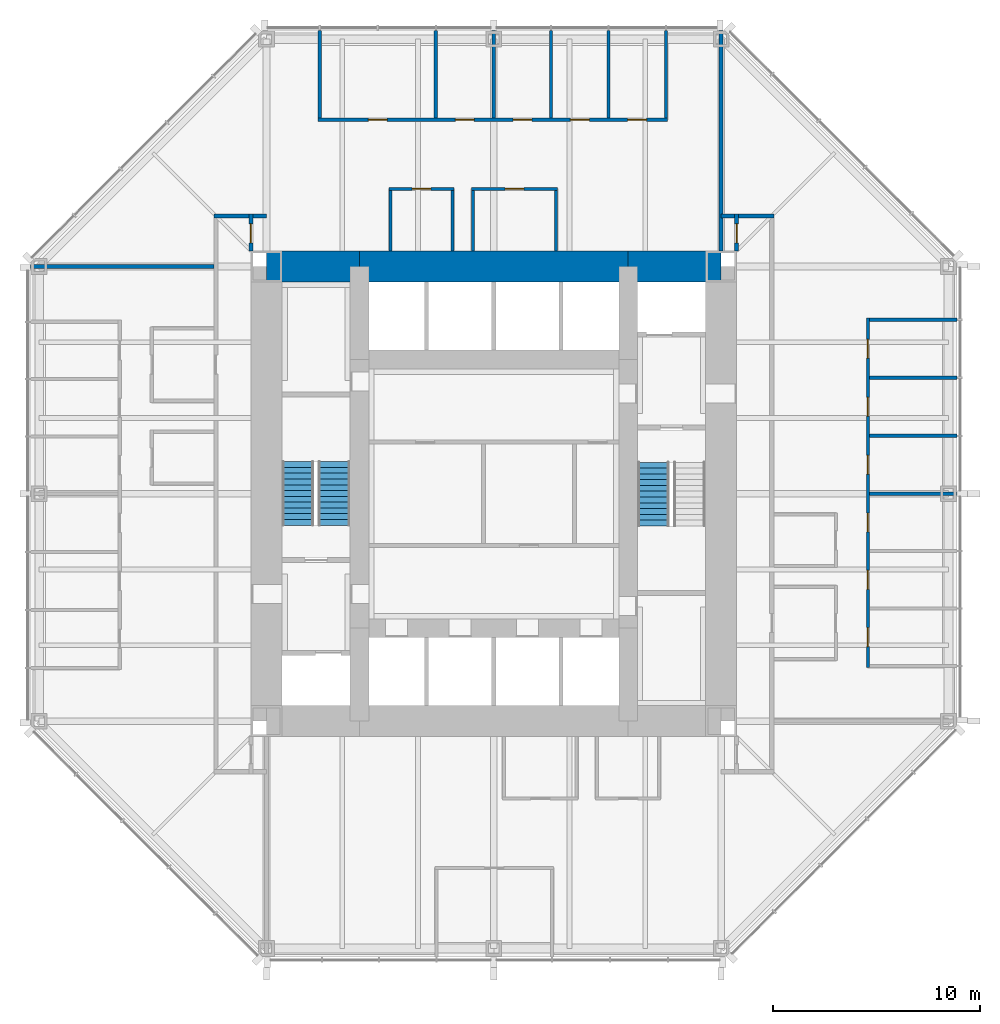
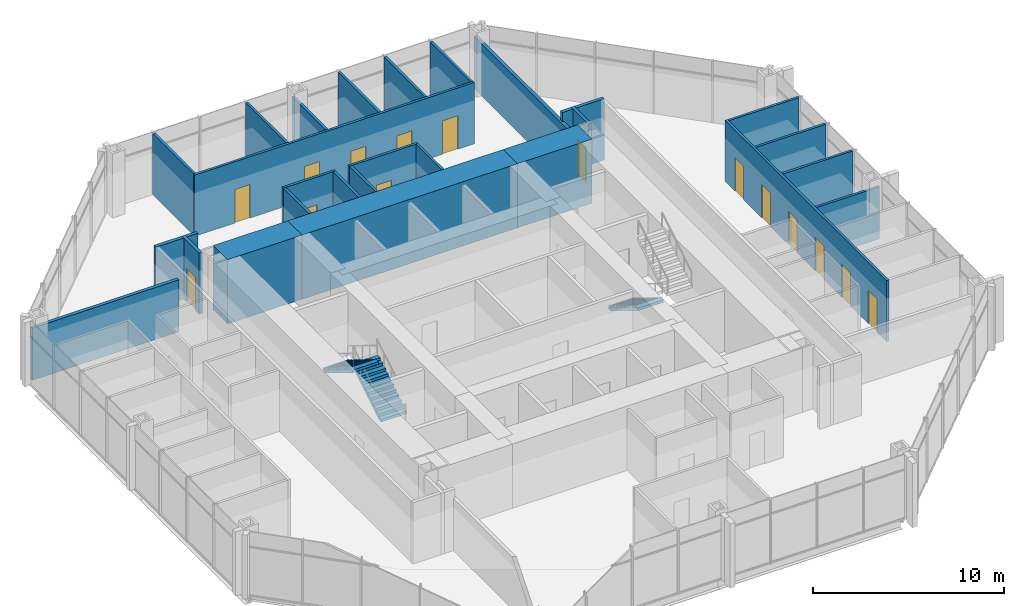
# One storey, part 11 of 14: 27 walls, 15 doors, 3 stair flights, 15 openings, 2 elements without a shape of their own.
"""IFC4 building model written with IfcOpenShell, lengths in metres."""

from ifc_helpers import new_model, si_unit, direction, frame, frame_2d, origin, place, context, subcontext, project, spatial, polyline, rectangle, outline, extrude, material, layer, layer_set, type_object, element, fill, aggregate, save


model = new_model("IFC4")

# Units and contexts
model_context = context("Model", 3, precision=1e-05, world=origin(), true_north=direction((0.0, 1.0)))
body_context = subcontext(model_context, "Body", "Model", "MODEL_VIEW")
ifc_project = project(units=[si_unit("LENGTHUNIT", "METRE"), si_unit("AREAUNIT", "SQUARE_METRE"), si_unit("VOLUMEUNIT", "CUBIC_METRE"), si_unit("PLANEANGLEUNIT", "RADIAN"), si_unit("MASSUNIT", "GRAM", prefix="KILO")], contexts=[model_context])

# Site, building, storey
site_placement = place(None, origin())
site = spatial("IfcSite", under=ifc_project, at=site_placement, CompositionType="ELEMENT")
building_placement = place(site_placement, origin())
building = spatial("IfcBuilding", under=site, at=building_placement, Name="Trevanion Tower", CompositionType="ELEMENT")
storey_placement = place(building_placement, frame((0.0, 0.0, 109.0)))
storey = spatial("IfcBuildingStorey", under=building, at=storey_placement, Name="L25", CompositionType="ELEMENT", Elevation=109.0)

# Walls
ifc_material_1 = material(Name="Concrete 10,000 psi", Category="concrete")
ifc_layer_1 = layer(ifc_material_1, 1.5)
ifc_layer_set_1 = layer_set([ifc_layer_1], Name="CW1 core wall 1500")
wall_type_1 = type_object("IfcWallType", Name="CW1 core wall 1500", PredefinedType="SHEAR", material=ifc_layer_set_1)
wall_1_placement = place(storey_placement, frame((11.0, 11.0, 0.0), z_axis=(0.0, 0.0, 1.0), x_axis=(-1.0, 0.0, 0.0)))
element("IfcWall", 1, at=wall_1_placement, inside=storey, type_object=wall_type_1, Name="CW1 CN1 L25", PredefinedType="SHEAR", context=body_context, shape_type="SweptSolid", body=[
    extrude(rectangle(XDim=4.5, YDim=1.5, at=frame_2d((2.25, 0.0))), origin(), (0.0, 0.0, 1.0), 4.10009765625),
])
wall_2_placement = place(storey_placement, frame((6.5, 11.0, 0.0), z_axis=(0.0, 0.0, 1.0), x_axis=(-1.0, 0.0, 0.0)))
element("IfcWall", 2, at=wall_2_placement, inside=storey, type_object=wall_type_1, Name="CW1 CN2 L25", PredefinedType="SHEAR", context=body_context, shape_type="SweptSolid", body=[
    extrude(rectangle(XDim=13.0, YDim=1.5, at=frame_2d((6.5, 0.0))), origin(), (0.0, 0.0, 1.0), 4.10009765625),
])
wall_3_placement = place(storey_placement, frame((-6.5, 11.0, 0.0), z_axis=(0.0, 0.0, 1.0), x_axis=(-1.0, 0.0, 0.0)))
element("IfcWall", 3, at=wall_3_placement, inside=storey, type_object=wall_type_1, Name="CW1 CN3 L25", PredefinedType="SHEAR", context=body_context, shape_type="SweptSolid", body=[
    extrude(rectangle(XDim=4.5, YDim=1.5, at=frame_2d((2.25, 0.0))), origin(), (0.0, 0.0, 1.0), 4.10009765625),
])

# Wall, openings, doors
ifc_material_2 = material(Name="Gypsum board on steel studs", Category="steel")
ifc_layer_2 = layer(ifc_material_2, 0.14990234375)
ifc_layer_set_2 = layer_set([ifc_layer_2], Name="PT1 partition 150")
wall_type_2 = type_object("IfcWallType", Name="PT1 partition 150", PredefinedType="PARTITIONING", material=ifc_layer_set_2)
wall_4_placement = place(storey_placement, frame((18.10009765625, -8.39794921875, 0.0), z_axis=(0.0, 0.0, 1.0), x_axis=(0.0, 1.0, 0.0)))
wall_4 = element("IfcWall", 4, at=wall_4_placement, inside=storey, type_object=wall_type_2, Name="PT1 L25 FC0F", PredefinedType="PARTITIONING", context=body_context, shape_type="SweptSolid", body=[
    extrude(rectangle(XDim=16.89404296875, YDim=0.14990234375, at=frame_2d((8.447021484375, 0.0))), origin(), (0.0, 0.0, 1.0), 3.909912109375),
])
opening_1_placement = place(wall_4_placement, frame((1.00439453125, 0.0, 0.0)))
opening_1 = element("IfcOpeningElement", 5, at=opening_1_placement, cuts=wall_4, Name="Opening 25-022", PredefinedType="OPENING", context=body_context, shape_type="SweptSolid", body=[
    extrude(rectangle(XDim=0.9150390625, YDim=2.134033203125, at=frame_2d((0.45751953125, 1.06689453125))), frame((0.0, 0.0849609375, 0.0), z_axis=(0.0, -1.0, 0.0), x_axis=(1.0, 0.0, 0.0)), (0.0, 0.0, 1.0), 0.169921875),
])
opening_2_placement = place(wall_4_placement, frame((3.778564453125, 0.0, 0.0)))
opening_2 = element("IfcOpeningElement", 6, at=opening_2_placement, cuts=wall_4, Name="Opening 25-023", PredefinedType="OPENING", context=body_context, shape_type="SweptSolid", body=[
    extrude(rectangle(XDim=0.9150390625, YDim=2.134033203125, at=frame_2d((0.45751953125, 1.06689453125))), frame((0.0, 0.0849609375, 0.0), z_axis=(0.0, -1.0, 0.0), x_axis=(1.0, 0.0, 0.0)), (0.0, 0.0, 1.0), 0.169921875),
])
opening_3_placement = place(wall_4_placement, frame((6.552978515625, 0.0, 0.0)))
opening_3 = element("IfcOpeningElement", 7, at=opening_3_placement, cuts=wall_4, Name="Opening 25-024", PredefinedType="OPENING", context=body_context, shape_type="SweptSolid", body=[
    extrude(rectangle(XDim=0.9150390625, YDim=2.134033203125, at=frame_2d((0.45751953125, 1.06689453125))), frame((0.0, 0.0849609375, 0.0), z_axis=(0.0, -1.0, 0.0), x_axis=(1.0, 0.0, 0.0)), (0.0, 0.0, 1.0), 0.169921875),
])
opening_4_placement = place(wall_4_placement, frame((9.343994140625, 0.0, 0.0)))
opening_4 = element("IfcOpeningElement", 8, at=opening_4_placement, cuts=wall_4, Name="Opening 25-025", PredefinedType="OPENING", context=body_context, shape_type="SweptSolid", body=[
    extrude(rectangle(XDim=0.9150390625, YDim=2.134033203125, at=frame_2d((0.45751953125, 1.06689453125))), frame((0.0, 0.0849609375, 0.0), z_axis=(0.0, -1.0, 0.0), x_axis=(1.0, 0.0, 0.0)), (0.0, 0.0, 1.0), 0.169921875),
])
opening_5_placement = place(wall_4_placement, frame((12.15087890625, 0.0, 0.0)))
opening_5 = element("IfcOpeningElement", 9, at=opening_5_placement, cuts=wall_4, Name="Opening 25-026", PredefinedType="OPENING", context=body_context, shape_type="SweptSolid", body=[
    extrude(rectangle(XDim=0.9150390625, YDim=2.134033203125, at=frame_2d((0.45751953125, 1.06689453125))), frame((0.0, 0.0849609375, 0.0), z_axis=(0.0, -1.0, 0.0), x_axis=(1.0, 0.0, 0.0)), (0.0, 0.0, 1.0), 0.169921875),
])
opening_6_placement = place(wall_4_placement, frame((14.9580078125, 0.0, 0.0)))
opening_6 = element("IfcOpeningElement", 10, at=opening_6_placement, cuts=wall_4, Name="Opening 25-027", PredefinedType="OPENING", context=body_context, shape_type="SweptSolid", body=[
    extrude(rectangle(XDim=0.9150390625, YDim=2.134033203125, at=frame_2d((0.45751953125, 1.06689453125))), frame((0.0, 0.0849609375, 0.0), z_axis=(0.0, -1.0, 0.0), x_axis=(1.0, 0.0, 0.0)), (0.0, 0.0, 1.0), 0.169921875),
])
ifc_material_3 = material(Name="Timber veneer, solid core", Category="wood")
door_type_1 = type_object("IfcDoorType", Name="D1 office and meeting room door", OperationType="SINGLE_SWING_LEFT", PredefinedType="DOOR", material=ifc_material_3)
door_1_placement = place(opening_1_placement, origin())
door_1 = element("IfcDoor", 11, at=door_1_placement, inside=storey, type_object=door_type_1, Name="Door 25-022", OperationType="SINGLE_SWING_LEFT", OverallHeight=2.134033203125, OverallWidth=0.9150390625, PredefinedType="DOOR", context=body_context, shape_type="SweptSolid", body=[
    extrude(rectangle(XDim=0.9150390625, YDim=2.134033203125, at=frame_2d((0.45751953125, 1.06689453125))), frame((0.0, 0.02490234375, 0.0), z_axis=(0.0, -1.0, 0.0), x_axis=(1.0, 0.0, 0.0)), (0.0, 0.0, 1.0), 0.050048828125),
])
fill(opening_1, door_1)
door_2_placement = place(opening_2_placement, origin())
door_2 = element("IfcDoor", 12, at=door_2_placement, inside=storey, type_object=door_type_1, Name="Door 25-023", OperationType="SINGLE_SWING_LEFT", OverallHeight=2.134033203125, OverallWidth=0.9150390625, PredefinedType="DOOR", context=body_context, shape_type="SweptSolid", body=[
    extrude(rectangle(XDim=0.9150390625, YDim=2.134033203125, at=frame_2d((0.45751953125, 1.06689453125))), frame((0.0, 0.02490234375, 0.0), z_axis=(0.0, -1.0, 0.0), x_axis=(1.0, 0.0, 0.0)), (0.0, 0.0, 1.0), 0.050048828125),
])
fill(opening_2, door_2)
door_3_placement = place(opening_3_placement, origin())
door_3 = element("IfcDoor", 13, at=door_3_placement, inside=storey, type_object=door_type_1, Name="Door 25-024", OperationType="SINGLE_SWING_LEFT", OverallHeight=2.134033203125, OverallWidth=0.9150390625, PredefinedType="DOOR", context=body_context, shape_type="SweptSolid", body=[
    extrude(rectangle(XDim=0.9150390625, YDim=2.134033203125, at=frame_2d((0.45751953125, 1.06689453125))), frame((0.0, 0.02490234375, 0.0), z_axis=(0.0, -1.0, 0.0), x_axis=(1.0, 0.0, 0.0)), (0.0, 0.0, 1.0), 0.050048828125),
])
fill(opening_3, door_3)
door_4_placement = place(opening_4_placement, origin())
door_4 = element("IfcDoor", 14, at=door_4_placement, inside=storey, type_object=door_type_1, Name="Door 25-025", OperationType="SINGLE_SWING_LEFT", OverallHeight=2.134033203125, OverallWidth=0.9150390625, PredefinedType="DOOR", context=body_context, shape_type="SweptSolid", body=[
    extrude(rectangle(XDim=0.9150390625, YDim=2.134033203125, at=frame_2d((0.45751953125, 1.06689453125))), frame((0.0, 0.02490234375, 0.0), z_axis=(0.0, -1.0, 0.0), x_axis=(1.0, 0.0, 0.0)), (0.0, 0.0, 1.0), 0.050048828125),
])
fill(opening_4, door_4)
door_5_placement = place(opening_5_placement, origin())
door_5 = element("IfcDoor", 15, at=door_5_placement, inside=storey, type_object=door_type_1, Name="Door 25-026", OperationType="SINGLE_SWING_LEFT", OverallHeight=2.134033203125, OverallWidth=0.9150390625, PredefinedType="DOOR", context=body_context, shape_type="SweptSolid", body=[
    extrude(rectangle(XDim=0.9150390625, YDim=2.134033203125, at=frame_2d((0.45751953125, 1.06689453125))), frame((0.0, 0.02490234375, 0.0), z_axis=(0.0, -1.0, 0.0), x_axis=(1.0, 0.0, 0.0)), (0.0, 0.0, 1.0), 0.050048828125),
])
fill(opening_5, door_5)
door_6_placement = place(opening_6_placement, origin())
door_6 = element("IfcDoor", 16, at=door_6_placement, inside=storey, type_object=door_type_1, Name="Door 25-027", OperationType="SINGLE_SWING_LEFT", OverallHeight=2.134033203125, OverallWidth=0.9150390625, PredefinedType="DOOR", context=body_context, shape_type="SweptSolid", body=[
    extrude(rectangle(XDim=0.9150390625, YDim=2.134033203125, at=frame_2d((0.45751953125, 1.06689453125))), frame((0.0, 0.02490234375, 0.0), z_axis=(0.0, -1.0, 0.0), x_axis=(1.0, 0.0, 0.0)), (0.0, 0.0, 1.0), 0.050048828125),
])
fill(opening_6, door_6)

# Walls
wall_5_placement = place(storey_placement, frame((18.175048828125, 0.0, 0.0), z_axis=(0.0, 0.0, 1.0), x_axis=(1.0, 0.0, 0.0)))
element("IfcWall", 17, at=wall_5_placement, inside=storey, type_object=wall_type_2, Name="PT1 L25 FC0S3", PredefinedType="PARTITIONING", context=body_context, shape_type="SweptSolid", body=[
    extrude(rectangle(XDim=4.239990234375, YDim=0.14990234375, at=frame_2d((2.1201171875, 0.0))), origin(), (0.0, 0.0, 1.0), 3.32568359375),
])
for number, where, z_axis, x_axis, name in (
    (18, (18.175048828125, 2.806884765625, 0.0), (0.0, 0.0, 1.0), (1.0, 0.0, 0.0), "PT1 L25 FC0S4"),
    (19, (18.175048828125, 5.614013671875, 0.0), (0.0, 0.0, 1.0), (1.0, 0.0, 0.0), "PT1 L25 FC0S5"),
    (20, (18.175048828125, 8.4208984375, 0.0), (0.0, 0.0, 1.0), (1.0, 0.0, 0.0), "PT1 L25 FC0S6"),
):
    element("IfcWall", number, at=place(storey_placement, frame(where, z_axis=z_axis, x_axis=x_axis)), inside=storey, type_object=wall_type_2, Name=name, PredefinedType="PARTITIONING", context=body_context, shape_type="SweptSolid", body=[
        extrude(rectangle(XDim=4.239990234375, YDim=0.14990234375, at=frame_2d((2.1201171875, 0.0))), origin(), (0.0, 0.0, 1.0), 3.909912109375),
    ])

# Wall, openings, doors
wall_6_placement = place(storey_placement, frame((8.39794921875, 18.10009765625, 0.0), z_axis=(0.0, 0.0, 1.0), x_axis=(-1.0, 0.0, 0.0)))
wall_6 = element("IfcWall", 21, at=wall_6_placement, inside=storey, type_object=wall_type_2, Name="PT1 L25 FC1F", PredefinedType="PARTITIONING", context=body_context, shape_type="SweptSolid", body=[
    extrude(rectangle(XDim=16.89404296875, YDim=0.14990234375, at=frame_2d((8.447021484375, 0.0))), origin(), (0.0, 0.0, 1.0), 3.909912109375),
])
opening_7_placement = place(wall_6_placement, frame((1.00439453125, 0.0, 0.0)))
opening_7 = element("IfcOpeningElement", 22, at=opening_7_placement, cuts=wall_6, Name="Opening 25-028", PredefinedType="OPENING", context=body_context, shape_type="SweptSolid", body=[
    extrude(rectangle(XDim=0.9150390625, YDim=2.134033203125, at=frame_2d((0.45751953125, 1.06689453125))), frame((0.0, 0.0849609375, 0.0), z_axis=(0.0, -1.0, 0.0), x_axis=(1.0, 0.0, 0.0)), (0.0, 0.0, 1.0), 0.169921875),
])
opening_8_placement = place(wall_6_placement, frame((3.778564453125, 0.0, 0.0)))
opening_8 = element("IfcOpeningElement", 23, at=opening_8_placement, cuts=wall_6, Name="Opening 25-029", PredefinedType="OPENING", context=body_context, shape_type="SweptSolid", body=[
    extrude(rectangle(XDim=0.9150390625, YDim=2.134033203125, at=frame_2d((0.45751953125, 1.06689453125))), frame((0.0, 0.0849609375, 0.0), z_axis=(0.0, -1.0, 0.0), x_axis=(1.0, 0.0, 0.0)), (0.0, 0.0, 1.0), 0.169921875),
])
opening_9_placement = place(wall_6_placement, frame((6.552978515625, 0.0, 0.0)))
opening_9 = element("IfcOpeningElement", 24, at=opening_9_placement, cuts=wall_6, Name="Opening 25-030", PredefinedType="OPENING", context=body_context, shape_type="SweptSolid", body=[
    extrude(rectangle(XDim=0.9150390625, YDim=2.134033203125, at=frame_2d((0.45751953125, 1.06689453125))), frame((0.0, 0.0849609375, 0.0), z_axis=(0.0, -1.0, 0.0), x_axis=(1.0, 0.0, 0.0)), (0.0, 0.0, 1.0), 0.169921875),
])
opening_10_placement = place(wall_6_placement, frame((9.343994140625, 0.0, 0.0)))
opening_10 = element("IfcOpeningElement", 25, at=opening_10_placement, cuts=wall_6, Name="Opening 25-031", PredefinedType="OPENING", context=body_context, shape_type="SweptSolid", body=[
    extrude(rectangle(XDim=0.9150390625, YDim=2.134033203125, at=frame_2d((0.45751953125, 1.06689453125))), frame((0.0, 0.0849609375, 0.0), z_axis=(0.0, -1.0, 0.0), x_axis=(1.0, 0.0, 0.0)), (0.0, 0.0, 1.0), 0.169921875),
])
opening_11_placement = place(wall_6_placement, frame((13.554443359375, 0.0, 0.0)))
opening_11 = element("IfcOpeningElement", 26, at=opening_11_placement, cuts=wall_6, Name="Opening 25-032", PredefinedType="OPENING", context=body_context, shape_type="SweptSolid", body=[
    extrude(rectangle(XDim=0.9150390625, YDim=2.134033203125, at=frame_2d((0.45751953125, 1.06689453125))), frame((0.0, 0.0849609375, 0.0), z_axis=(0.0, -1.0, 0.0), x_axis=(1.0, 0.0, 0.0)), (0.0, 0.0, 1.0), 0.169921875),
])
door_7_placement = place(opening_7_placement, origin())
door_7 = element("IfcDoor", 27, at=door_7_placement, inside=storey, type_object=door_type_1, Name="Door 25-028", OperationType="SINGLE_SWING_LEFT", OverallHeight=2.134033203125, OverallWidth=0.9150390625, PredefinedType="DOOR", context=body_context, shape_type="SweptSolid", body=[
    extrude(rectangle(XDim=0.9150390625, YDim=2.134033203125, at=frame_2d((0.45751953125, 1.06689453125))), frame((0.0, 0.02490234375, 0.0), z_axis=(0.0, -1.0, 0.0), x_axis=(1.0, 0.0, 0.0)), (0.0, 0.0, 1.0), 0.050048828125),
])
fill(opening_7, door_7)
door_8_placement = place(opening_8_placement, origin())
door_8 = element("IfcDoor", 28, at=door_8_placement, inside=storey, type_object=door_type_1, Name="Door 25-029", OperationType="SINGLE_SWING_LEFT", OverallHeight=2.134033203125, OverallWidth=0.9150390625, PredefinedType="DOOR", context=body_context, shape_type="SweptSolid", body=[
    extrude(rectangle(XDim=0.9150390625, YDim=2.134033203125, at=frame_2d((0.45751953125, 1.06689453125))), frame((0.0, 0.02490234375, 0.0), z_axis=(0.0, -1.0, 0.0), x_axis=(1.0, 0.0, 0.0)), (0.0, 0.0, 1.0), 0.050048828125),
])
fill(opening_8, door_8)
door_9_placement = place(opening_9_placement, origin())
door_9 = element("IfcDoor", 29, at=door_9_placement, inside=storey, type_object=door_type_1, Name="Door 25-030", OperationType="SINGLE_SWING_LEFT", OverallHeight=2.134033203125, OverallWidth=0.9150390625, PredefinedType="DOOR", context=body_context, shape_type="SweptSolid", body=[
    extrude(rectangle(XDim=0.9150390625, YDim=2.134033203125, at=frame_2d((0.45751953125, 1.06689453125))), frame((0.0, 0.02490234375, 0.0), z_axis=(0.0, -1.0, 0.0), x_axis=(1.0, 0.0, 0.0)), (0.0, 0.0, 1.0), 0.050048828125),
])
fill(opening_9, door_9)
door_10_placement = place(opening_10_placement, origin())
door_10 = element("IfcDoor", 30, at=door_10_placement, inside=storey, type_object=door_type_1, Name="Door 25-031", OperationType="SINGLE_SWING_LEFT", OverallHeight=2.134033203125, OverallWidth=0.9150390625, PredefinedType="DOOR", context=body_context, shape_type="SweptSolid", body=[
    extrude(rectangle(XDim=0.9150390625, YDim=2.134033203125, at=frame_2d((0.45751953125, 1.06689453125))), frame((0.0, 0.02490234375, 0.0), z_axis=(0.0, -1.0, 0.0), x_axis=(1.0, 0.0, 0.0)), (0.0, 0.0, 1.0), 0.050048828125),
])
fill(opening_10, door_10)
door_11_placement = place(opening_11_placement, origin())
door_11 = element("IfcDoor", 31, at=door_11_placement, inside=storey, type_object=door_type_1, Name="Door 25-032", OperationType="SINGLE_SWING_LEFT", OverallHeight=2.134033203125, OverallWidth=0.9150390625, PredefinedType="DOOR", context=body_context, shape_type="SweptSolid", body=[
    extrude(rectangle(XDim=0.9150390625, YDim=2.134033203125, at=frame_2d((0.45751953125, 1.06689453125))), frame((0.0, 0.02490234375, 0.0), z_axis=(0.0, -1.0, 0.0), x_axis=(1.0, 0.0, 0.0)), (0.0, 0.0, 1.0), 0.050048828125),
])
fill(opening_11, door_11)

# Walls
for number, where, z_axis, x_axis, name in (
    (32, (8.322998046875, 18.175048828125, 0.0), (0.0, 0.0, 1.0), (0.0, 1.0, 0.0), "PT1 L25 FC1S0"),
    (33, (5.549072265625, 18.175048828125, 0.0), (0.0, 0.0, 1.0), (0.0, 1.0, 0.0), "PT1 L25 FC1S1"),
    (34, (2.77490234375, 18.175048828125, 0.0), (0.0, 0.0, 1.0), (0.0, 1.0, 0.0), "PT1 L25 FC1S2"),
):
    element("IfcWall", number, at=place(storey_placement, frame(where, z_axis=z_axis, x_axis=x_axis)), inside=storey, type_object=wall_type_2, Name=name, PredefinedType="PARTITIONING", context=body_context, shape_type="SweptSolid", body=[
        extrude(rectangle(XDim=4.239990234375, YDim=0.14990234375, at=frame_2d((2.1201171875, 0.0))), origin(), (0.0, 0.0, 1.0), 3.909912109375),
    ])
wall_7_placement = place(storey_placement, frame((0.0, 18.175048828125, 0.0), z_axis=(0.0, 0.0, 1.0), x_axis=(0.0, 1.0, 0.0)))
element("IfcWall", 35, at=wall_7_placement, inside=storey, type_object=wall_type_2, Name="PT1 L25 FC1S3", PredefinedType="PARTITIONING", context=body_context, shape_type="SweptSolid", body=[
    extrude(rectangle(XDim=4.239990234375, YDim=0.14990234375, at=frame_2d((2.1201171875, 0.0))), origin(), (0.0, 0.0, 1.0), 3.32568359375),
])
for number, where, z_axis, x_axis, name in (
    (36, (-2.806884765625, 18.175048828125, 0.0), (0.0, 0.0, 1.0), (0.0, 1.0, 0.0), "PT1 L25 FC1S4"),
    (37, (-8.4208984375, 18.175048828125, 0.0), (0.0, 0.0, 1.0), (0.0, 1.0, 0.0), "PT1 L25 FC1S6"),
):
    element("IfcWall", number, at=place(storey_placement, frame(where, z_axis=z_axis, x_axis=x_axis)), inside=storey, type_object=wall_type_2, Name=name, PredefinedType="PARTITIONING", context=body_context, shape_type="SweptSolid", body=[
        extrude(rectangle(XDim=4.239990234375, YDim=0.14990234375, at=frame_2d((2.1201171875, 0.0))), origin(), (0.0, 0.0, 1.0), 3.909912109375),
    ])

# Wall, opening, door
wall_8_placement = place(storey_placement, frame((3.074951171875, 14.75, 0.0), z_axis=(0.0, 0.0, 1.0), x_axis=(-1.0, 0.0, 0.0)))
wall_8 = element("IfcWall", 38, at=wall_8_placement, inside=storey, type_object=wall_type_2, Name="PT1 L25 IN10F", PredefinedType="PARTITIONING", context=body_context, shape_type="SweptSolid", body=[
    extrude(rectangle(XDim=4.14990234375, YDim=0.14990234375, at=frame_2d((2.074951171875, 0.0))), origin(), (0.0, 0.0, 1.0), 3.909912109375),
])
opening_12_placement = place(wall_8_placement, frame((1.617431640625, 0.0, 0.0)))
opening_12 = element("IfcOpeningElement", 39, at=opening_12_placement, cuts=wall_8, Name="Opening 25-043", PredefinedType="OPENING", context=body_context, shape_type="SweptSolid", body=[
    extrude(rectangle(XDim=0.9150390625, YDim=2.134033203125, at=frame_2d((0.45751953125, 1.06689453125))), frame((0.0, 0.0849609375, 0.0), z_axis=(0.0, -1.0, 0.0), x_axis=(1.0, 0.0, 0.0)), (0.0, 0.0, 1.0), 0.169921875),
])
door_12_placement = place(opening_12_placement, origin())
door_12 = element("IfcDoor", 40, at=door_12_placement, inside=storey, type_object=door_type_1, Name="Door 25-043", OperationType="SINGLE_SWING_LEFT", OverallHeight=2.134033203125, OverallWidth=0.9150390625, PredefinedType="DOOR", context=body_context, shape_type="SweptSolid", body=[
    extrude(rectangle(XDim=0.9150390625, YDim=2.134033203125, at=frame_2d((0.45751953125, 1.06689453125))), frame((0.0, 0.02490234375, 0.0), z_axis=(0.0, -1.0, 0.0), x_axis=(1.0, 0.0, 0.0)), (0.0, 0.0, 1.0), 0.050048828125),
])
fill(opening_12, door_12)

# Walls
for number, where, z_axis, x_axis, name in (
    (41, (3.0, 14.675048828125, 0.0), (0.0, 0.0, 1.0), (0.0, -1.0, 0.0), "PT1 L25 IN10S0"),
    (42, (-1.0, 14.675048828125, 0.0), (0.0, 0.0, 1.0), (0.0, -1.0, 0.0), "PT1 L25 IN10S1"),
):
    element("IfcWall", number, at=place(storey_placement, frame(where, z_axis=z_axis, x_axis=x_axis)), inside=storey, type_object=wall_type_2, Name=name, PredefinedType="PARTITIONING", context=body_context, shape_type="SweptSolid", body=[
        extrude(rectangle(XDim=2.925048828125, YDim=0.14990234375, at=frame_2d((1.46240234375, 0.0))), origin(), (0.0, 0.0, 1.0), 3.909912109375),
    ])

# Wall, opening, door
wall_9_placement = place(storey_placement, frame((-1.925048828125, 14.75, 0.0), z_axis=(0.0, 0.0, 1.0), x_axis=(-1.0, 0.0, 0.0)))
wall_9 = element("IfcWall", 43, at=wall_9_placement, inside=storey, type_object=wall_type_2, Name="PT1 L25 IN11F", PredefinedType="PARTITIONING", context=body_context, shape_type="SweptSolid", body=[
    extrude(rectangle(XDim=3.14990234375, YDim=0.14990234375, at=frame_2d((1.574951171875, 0.0))), origin(), (0.0, 0.0, 1.0), 3.909912109375),
])
opening_13_placement = place(wall_9_placement, frame((1.117431640625, 0.0, 0.0)))
opening_13 = element("IfcOpeningElement", 44, at=opening_13_placement, cuts=wall_9, Name="Opening 25-044", PredefinedType="OPENING", context=body_context, shape_type="SweptSolid", body=[
    extrude(rectangle(XDim=0.9150390625, YDim=2.134033203125, at=frame_2d((0.45751953125, 1.06689453125))), frame((0.0, 0.0849609375, 0.0), z_axis=(0.0, -1.0, 0.0), x_axis=(1.0, 0.0, 0.0)), (0.0, 0.0, 1.0), 0.169921875),
])
door_13_placement = place(opening_13_placement, origin())
door_13 = element("IfcDoor", 45, at=door_13_placement, inside=storey, type_object=door_type_1, Name="Door 25-044", OperationType="SINGLE_SWING_LEFT", OverallHeight=2.134033203125, OverallWidth=0.9150390625, PredefinedType="DOOR", context=body_context, shape_type="SweptSolid", body=[
    extrude(rectangle(XDim=0.9150390625, YDim=2.134033203125, at=frame_2d((0.45751953125, 1.06689453125))), frame((0.0, 0.02490234375, 0.0), z_axis=(0.0, -1.0, 0.0), x_axis=(1.0, 0.0, 0.0)), (0.0, 0.0, 1.0), 0.050048828125),
])
fill(opening_13, door_13)

# Walls
for number, where, z_axis, x_axis, name in (
    (46, (-2.0, 14.675048828125, 0.0), (0.0, 0.0, 1.0), (0.0, -1.0, 0.0), "PT1 L25 IN11S0"),
    (47, (-5.0, 14.675048828125, 0.0), (0.0, 0.0, 1.0), (0.0, -1.0, 0.0), "PT1 L25 IN11S1"),
):
    element("IfcWall", number, at=place(storey_placement, frame(where, z_axis=z_axis, x_axis=x_axis)), inside=storey, type_object=wall_type_2, Name=name, PredefinedType="PARTITIONING", context=body_context, shape_type="SweptSolid", body=[
        extrude(rectangle(XDim=2.925048828125, YDim=0.14990234375, at=frame_2d((1.46240234375, 0.0))), origin(), (0.0, 0.0, 1.0), 3.909912109375),
    ])

# Wall, opening, door
ifc_material_4 = material(Name="Concrete masonry, grouted", Category="masonry")
ifc_layer_3 = layer(ifc_material_4, 0.199951171875)
ifc_layer_set_3 = layer_set([ifc_layer_3], Name="PT2 partition 200 1 HR")
wall_type_3 = type_object("IfcWallType", Name="PT2 partition 200 1 HR", PredefinedType="PARTITIONING", material=ifc_layer_set_3)
wall_10_placement = place(storey_placement, frame((11.75, 11.75, 0.0), z_axis=(0.0, 0.0, 1.0), x_axis=(0.0, 1.0, 0.0)))
wall_10 = element("IfcWall", 48, at=wall_10_placement, inside=storey, type_object=wall_type_3, Name="PT2 L25 OUNE1", PredefinedType="PARTITIONING", context=body_context, shape_type="SweptSolid", body=[
    extrude(rectangle(XDim=1.800048828125, YDim=0.199951171875, at=frame_2d((0.89990234375, 0.0))), origin(), (0.0, 0.0, 1.0), 3.909912109375),
])
opening_14_placement = place(wall_10_placement, frame((0.392578125, 0.0, 0.0)))
opening_14 = element("IfcOpeningElement", 49, at=opening_14_placement, cuts=wall_10, Name="Opening 25-018", PredefinedType="OPENING", context=body_context, shape_type="SweptSolid", body=[
    extrude(rectangle(XDim=0.9150390625, YDim=2.134033203125, at=frame_2d((0.45751953125, 1.06689453125))), frame((0.0, 0.10986328125, 0.0), z_axis=(0.0, -1.0, 0.0), x_axis=(1.0, 0.0, 0.0)), (0.0, 0.0, 1.0), 0.219970703125),
])
ifc_material_5 = material(Name="Timber veneer, fire rated", Category="wood")
door_type_2 = type_object("IfcDoorType", Name="D10 office door in a one hour wall", OperationType="SINGLE_SWING_LEFT", PredefinedType="DOOR", material=ifc_material_5)
door_14_placement = place(opening_14_placement, frame((0.9150390625, 0.0, 0.0), z_axis=(0.0, 0.0, 1.0), x_axis=(-1.0, 0.0, 0.0)))
door_14 = element("IfcDoor", 50, at=door_14_placement, inside=storey, type_object=door_type_2, Name="Door 25-018", OperationType="SINGLE_SWING_LEFT", OverallHeight=2.134033203125, OverallWidth=0.9150390625, PredefinedType="DOOR", context=body_context, shape_type="SweptSolid", body=[
    extrude(rectangle(XDim=0.9150390625, YDim=2.134033203125, at=frame_2d((0.45751953125, 1.06689453125))), frame((0.0, 0.02490234375, 0.0), z_axis=(0.0, -1.0, 0.0), x_axis=(1.0, 0.0, 0.0)), (0.0, 0.0, 1.0), 0.050048828125),
])
fill(opening_14, door_14)

# Wall
wall_11_placement = place(storey_placement, frame((11.0, 13.449951171875, 0.0), z_axis=(0.0, 0.0, 1.0), x_axis=(1.0, 0.0, 0.0)))
element("IfcWall", 51, at=wall_11_placement, inside=storey, type_object=wall_type_3, Name="PT2 L25 OUNE2", PredefinedType="PARTITIONING", context=body_context, shape_type="SweptSolid", body=[
    extrude(rectangle(XDim=2.550048828125, YDim=0.199951171875, at=frame_2d((1.27490234375, 0.0))), origin(), (0.0, 0.0, 1.0), 3.909912109375),
])

# Wall, opening, door
wall_12_placement = place(storey_placement, frame((-11.75, 11.75, 0.0), z_axis=(0.0, 0.0, 1.0), x_axis=(0.0, 1.0, 0.0)))
wall_12 = element("IfcWall", 52, at=wall_12_placement, inside=storey, type_object=wall_type_3, Name="PT2 L25 OUNW1", PredefinedType="PARTITIONING", context=body_context, shape_type="SweptSolid", body=[
    extrude(rectangle(XDim=1.800048828125, YDim=0.199951171875, at=frame_2d((0.89990234375, 0.0))), origin(), (0.0, 0.0, 1.0), 3.909912109375),
])
opening_15_placement = place(wall_12_placement, frame((0.392578125, 0.0, 0.0)))
opening_15 = element("IfcOpeningElement", 53, at=opening_15_placement, cuts=wall_12, Name="Opening 25-019", PredefinedType="OPENING", context=body_context, shape_type="SweptSolid", body=[
    extrude(rectangle(XDim=0.9150390625, YDim=2.134033203125, at=frame_2d((0.45751953125, 1.06689453125))), frame((0.0, 0.10986328125, 0.0), z_axis=(0.0, -1.0, 0.0), x_axis=(1.0, 0.0, 0.0)), (0.0, 0.0, 1.0), 0.219970703125),
])
door_15_placement = place(opening_15_placement, origin())
door_15 = element("IfcDoor", 54, at=door_15_placement, inside=storey, type_object=door_type_2, Name="Door 25-019", OperationType="SINGLE_SWING_LEFT", OverallHeight=2.134033203125, OverallWidth=0.9150390625, PredefinedType="DOOR", context=body_context, shape_type="SweptSolid", body=[
    extrude(rectangle(XDim=0.9150390625, YDim=2.134033203125, at=frame_2d((0.45751953125, 1.06689453125))), frame((0.0, 0.02490234375, 0.0), z_axis=(0.0, -1.0, 0.0), x_axis=(1.0, 0.0, 0.0)), (0.0, 0.0, 1.0), 0.050048828125),
])
fill(opening_15, door_15)

# Walls
wall_13_placement = place(storey_placement, frame((-11.0, 13.449951171875, 0.0), z_axis=(0.0, 0.0, 1.0), x_axis=(-1.0, 0.0, 0.0)))
element("IfcWall", 55, at=wall_13_placement, inside=storey, type_object=wall_type_3, Name="PT2 L25 OUNW2", PredefinedType="PARTITIONING", context=body_context, shape_type="SweptSolid", body=[
    extrude(rectangle(XDim=2.550048828125, YDim=0.199951171875, at=frame_2d((1.27490234375, 0.0))), origin(), (0.0, 0.0, 1.0), 3.909912109375),
])
wall_14_placement = place(storey_placement, frame((11.0, 11.75, 0.0), z_axis=(0.0, 0.0, 1.0), x_axis=(0.0, 1.0, 0.0)))
element("IfcWall", 56, at=wall_14_placement, inside=storey, type_object=wall_type_3, Name="PT2 L25 DM0", PredefinedType="PARTITIONING", context=body_context, shape_type="SweptSolid", body=[
    extrude(rectangle(XDim=10.6650390625, YDim=0.199951171875, at=frame_2d((5.33251953125, 0.0))), origin(), (0.0, 0.0, 1.0), 3.32568359375),
])
wall_15_placement = place(storey_placement, frame((-13.550048828125, 11.0, 0.0), z_axis=(0.0, 0.0, 1.0), x_axis=(-1.0, 0.0, 0.0)))
element("IfcWall", 57, at=wall_15_placement, inside=storey, type_object=wall_type_3, Name="PT2 L25 DM1", PredefinedType="PARTITIONING", context=body_context, shape_type="SweptSolid", body=[
    extrude(rectangle(XDim=8.864990234375, YDim=0.199951171875, at=frame_2d((4.4326171875, 0.0))), origin(), (0.0, 0.0, 1.0), 3.32568359375),
])

# Stair, stair flight
ifc_material_6 = material(Name="Concrete 5,000 psi on steel stringers", Category="concrete")
stair_type = type_object("IfcStairType", Name="ST stair", PredefinedType="HALF_TURN_STAIR", material=ifc_material_6)
stair_1_placement = place(storey_placement, origin())
stair_1 = element("IfcStair", 58, at=stair_1_placement, inside=storey, type_object=stair_type, Name="ST1 L25", PredefinedType="HALF_TURN_STAIR")
ifc_material_7 = material(Name="Concrete 5,000 psi in steel pan", Category="concrete")
stair_flight_type = type_object("IfcStairFlightType", Name="STF stair flight", PredefinedType="STRAIGHT", material=ifc_material_7)
stair_flight_1_placement = place(storey_placement, frame((7.72509765625, 1.52490234375, 0.0), z_axis=(0.0, 0.0, 1.0), x_axis=(0.0, -1.0, 0.0)))
stair_flight_1 = element("IfcStairFlight", 59, at=stair_flight_1_placement, type_object=stair_flight_type, Name="ST1 flight 1", NumberOfRisers=12, NumberOfTreads=11, PredefinedType="STRAIGHT", RiserHeight=0.170833333, TreadLength=0.28, context=body_context, shape_type="SweptSolid", body=[
    extrude(outline(polyline([(0.0, 0.0), (0.0, 0.1708984375), (0.280029296875, 0.1708984375), (0.280029296875, 0.341552734375), (0.56005859375, 0.341552734375), (0.56005859375, 0.512451171875), (0.840087890625, 0.512451171875), (0.840087890625, 0.683349609375), (1.1201171875, 0.683349609375), (1.1201171875, 0.854248046875), (1.39990234375, 0.854248046875), (1.39990234375, 1.02490234375), (1.679931640625, 1.02490234375), (1.679931640625, 1.19580078125), (1.9599609375, 1.19580078125), (1.9599609375, 1.36669921875), (2.239990234375, 1.36669921875), (2.239990234375, 1.53759765625), (2.52001953125, 1.53759765625), (2.52001953125, 1.708251953125), (2.800048828125, 1.708251953125), (2.800048828125, 1.879150390625), (3.080078125, 1.879150390625), (3.080078125, 2.050048828125), (3.080078125, 1.70361328125), (0.287841796875, 0.0), (0.0, 0.0)])), frame((0.0, 0.77490234375, 0.0), z_axis=(0.0, -1.0, 0.0), x_axis=(1.0, 0.0, 0.0)), (0.0, 0.0, 1.0), 1.550048828125),
])
aggregate(stair_1, [stair_flight_1])

# Stair, stair flights
stair_2_placement = place(storey_placement, origin())
stair_2 = element("IfcStair", 60, at=stair_2_placement, inside=storey, type_object=stair_type, Name="ST2 L25", PredefinedType="HALF_TURN_STAIR")
stair_flight_2_placement = place(storey_placement, frame((-7.72509765625, -1.52490234375, 0.0), z_axis=(0.0, 0.0, 1.0), x_axis=(0.0, 1.0, 0.0)))
stair_flight_2 = element("IfcStairFlight", 61, at=stair_flight_2_placement, type_object=stair_flight_type, Name="ST2 flight 1", NumberOfRisers=12, NumberOfTreads=11, PredefinedType="STRAIGHT", RiserHeight=0.170833333, TreadLength=0.28, context=body_context, shape_type="SweptSolid", body=[
    extrude(outline(polyline([(0.0, 0.0), (0.0, 0.1708984375), (0.280029296875, 0.1708984375), (0.280029296875, 0.341552734375), (0.56005859375, 0.341552734375), (0.56005859375, 0.512451171875), (0.840087890625, 0.512451171875), (0.840087890625, 0.683349609375), (1.1201171875, 0.683349609375), (1.1201171875, 0.854248046875), (1.39990234375, 0.854248046875), (1.39990234375, 1.02490234375), (1.679931640625, 1.02490234375), (1.679931640625, 1.19580078125), (1.9599609375, 1.19580078125), (1.9599609375, 1.36669921875), (2.239990234375, 1.36669921875), (2.239990234375, 1.53759765625), (2.52001953125, 1.53759765625), (2.52001953125, 1.708251953125), (2.800048828125, 1.708251953125), (2.800048828125, 1.879150390625), (3.080078125, 1.879150390625), (3.080078125, 2.050048828125), (3.080078125, 1.70361328125), (0.287841796875, 0.0), (0.0, 0.0)])), frame((0.0, 0.77490234375, 0.0), z_axis=(0.0, -1.0, 0.0), x_axis=(1.0, 0.0, 0.0)), (0.0, 0.0, 1.0), 1.550048828125),
])
stair_flight_3_placement = place(storey_placement, frame((-9.47509765625, 1.554931640625, 2.050048828125), z_axis=(0.0, 0.0, 1.0), x_axis=(0.0, -1.0, 0.0)))
stair_flight_3 = element("IfcStairFlight", 62, at=stair_flight_3_placement, type_object=stair_flight_type, Name="ST2 flight 2", NumberOfRisers=12, NumberOfTreads=11, PredefinedType="STRAIGHT", RiserHeight=0.170833333, TreadLength=0.28, context=body_context, shape_type="SweptSolid", body=[
    extrude(outline(polyline([(0.0, 0.0), (0.0, 0.1708984375), (0.280029296875, 0.1708984375), (0.280029296875, 0.341552734375), (0.56005859375, 0.341552734375), (0.56005859375, 0.512451171875), (0.840087890625, 0.512451171875), (0.840087890625, 0.683349609375), (1.1201171875, 0.683349609375), (1.1201171875, 0.854248046875), (1.39990234375, 0.854248046875), (1.39990234375, 1.02490234375), (1.679931640625, 1.02490234375), (1.679931640625, 1.19580078125), (1.9599609375, 1.19580078125), (1.9599609375, 1.36669921875), (2.239990234375, 1.36669921875), (2.239990234375, 1.53759765625), (2.52001953125, 1.53759765625), (2.52001953125, 1.708251953125), (2.800048828125, 1.708251953125), (2.800048828125, 1.879150390625), (3.080078125, 1.879150390625), (3.080078125, 2.050048828125), (3.080078125, 1.70361328125), (0.287841796875, 0.0), (0.0, 0.0)])), frame((0.0, 0.77490234375, 0.0), z_axis=(0.0, -1.0, 0.0), x_axis=(1.0, 0.0, 0.0)), (0.0, 0.0, 1.0), 1.550048828125),
])
aggregate(stair_2, [stair_flight_2, stair_flight_3])

save(model, "model.ifc")
